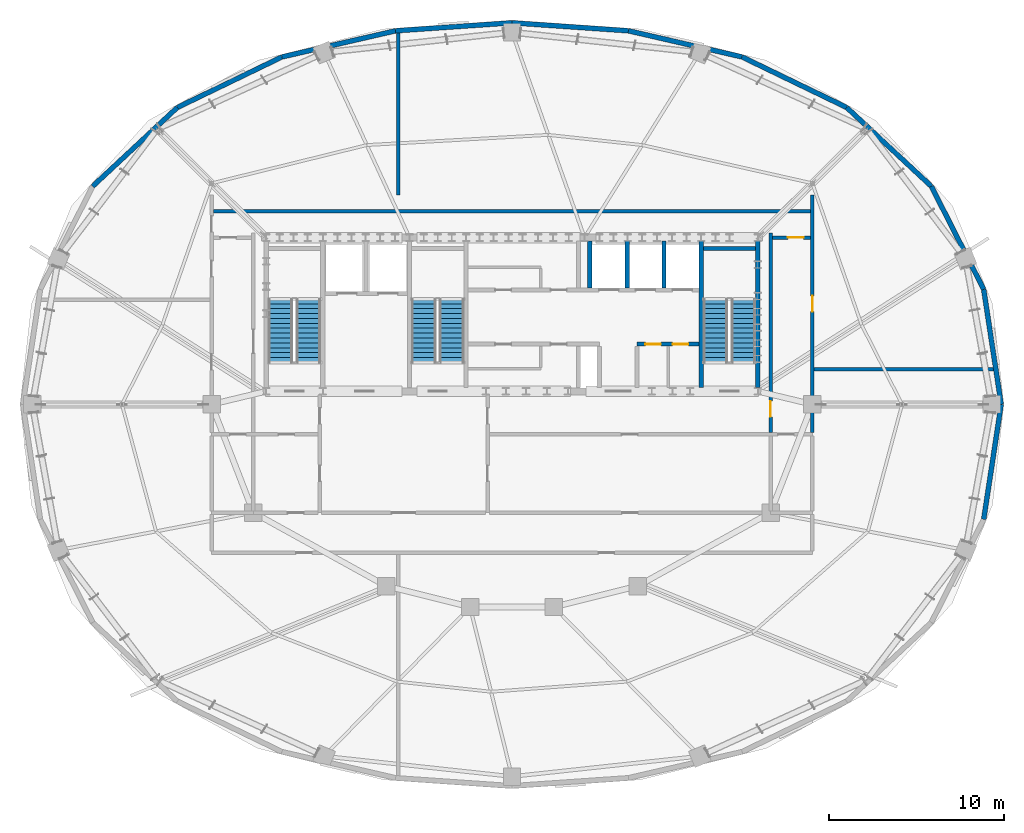
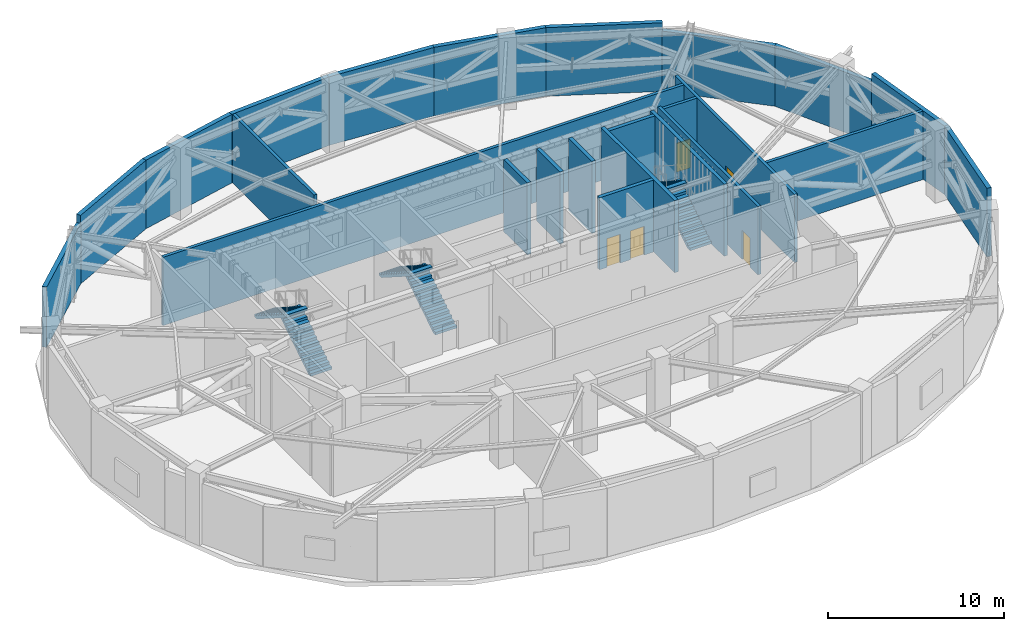
# One storey, part 16 of 20: 24 walls, 6 stair flights, 5 doors, 5 openings, 3 elements without a shape of their own.
"""IFC4 building model written with IfcOpenShell, lengths in metres."""

from ifc_helpers import new_model, si_unit, direction, frame, frame_2d, origin, place, context, subcontext, project, spatial, polyline, rectangle, outline, extrude, material, layer, layer_set, type_object, element, fill, aggregate, save


model = new_model("IFC4")

# Units and contexts
model_context = context("Model", 3, precision=1e-05, world=origin(), true_north=direction((0.0, 1.0)))
body_context = subcontext(model_context, "Body", "Model", "MODEL_VIEW")
ifc_project = project(units=[si_unit("LENGTHUNIT", "METRE"), si_unit("AREAUNIT", "SQUARE_METRE"), si_unit("VOLUMEUNIT", "CUBIC_METRE"), si_unit("PLANEANGLEUNIT", "RADIAN"), si_unit("MASSUNIT", "GRAM", prefix="KILO")], contexts=[model_context])

# Site, building, storey
site_placement = place(None, origin())
site = spatial("IfcSite", under=ifc_project, at=site_placement, CompositionType="ELEMENT")
building_placement = place(site_placement, origin())
building = spatial("IfcBuilding", under=site, at=building_placement, Name="Haldorwick Loom Tower", CompositionType="ELEMENT")
storey_placement = place(building_placement, frame((0.0, 0.0, 222.10009765625)))
storey = spatial("IfcBuildingStorey", under=building, at=storey_placement, Name="L60", CompositionType="ELEMENT", Elevation=222.10009765625)

# Walls
ifc_material_1 = material(Name="Pressed Clay Face Brick and Insulated Masonry Backup Assembly", Category="masonry")
ifc_layer_1 = layer(ifc_material_1, 0.280029296875, Name="Pressed Clay Face Brick and Insulated Masonry Backup Assembly", Category="masonry")
ifc_layer_set_1 = layer_set([ifc_layer_1], Name="Pressed Clay Face Brick and Insulated Masonry Backup Assembly")
wall_type_1 = type_object("IfcWallType", Name="ARC-WL-EXT280", PredefinedType="STANDARD", material=ifc_layer_set_1)
wall_1_placement = place(storey_placement, frame((64.00634765625, 26.0, 0.0), z_axis=(0.0, 0.0, 1.0), x_axis=(-0.150467697578, 0.988614926038, 0.0)))
element("IfcWall", 1, at=wall_1_placement, inside=storey, type_object=wall_type_1, Name="L60 Brick Pier and Spandrel Wall 1", PredefinedType="STANDARD", context=body_context, shape_type="SweptSolid", body=[
    extrude(rectangle(XDim=6.66064453125, YDim=0.280029296875, at=frame_2d((3.330322265625, 0.0))), origin(), (0.0, 0.0, 1.0), 4.760009765625),
])
wall_2_placement = place(storey_placement, frame((63.004150390625, 32.584716796875, 0.0), z_axis=(0.0, 0.0, 1.0), x_axis=(-0.453032066879, 0.89149422117, 0.0)))
element("IfcWall", 2, at=wall_2_placement, inside=storey, type_object=wall_type_1, Name="L60 Brick Pier and Spandrel Wall 2", PredefinedType="STANDARD", context=body_context, shape_type="SweptSolid", body=[
    extrude(rectangle(XDim=6.618896484375, YDim=0.280029296875, at=frame_2d((3.3095703125, 0.0))), origin(), (0.0, 0.0, 1.0), 4.19091796875),
])
wall_3_placement = place(storey_placement, frame((60.005615234375, 38.4853515625, 0.0), z_axis=(0.0, 0.0, 1.0), x_axis=(-0.731833707499, 0.681483253329, 0.0)))
element("IfcWall", 3, at=wall_3_placement, inside=storey, type_object=wall_type_1, Name="L60 Brick Pier and Spandrel Wall 3", PredefinedType="STANDARD", context=body_context, shape_type="SweptSolid", body=[
    extrude(rectangle(XDim=6.61865234375, YDim=0.280029296875, at=frame_2d((3.309326171875, 0.0))), origin(), (0.0, 0.0, 1.0), 4.19091796875),
])
wall_4_placement = place(storey_placement, frame((55.161865234375, 42.995849609375, 0.0), z_axis=(0.0, 0.0, 1.0), x_axis=(-0.900371236029, 0.435122554381, 0.0)))
element("IfcWall", 4, at=wall_4_placement, inside=storey, type_object=wall_type_1, Name="L60 Brick Pier and Spandrel Wall 4", PredefinedType="STANDARD", context=body_context, shape_type="SweptSolid", body=[
    extrude(rectangle(XDim=6.6533203125, YDim=0.280029296875, at=frame_2d((3.32666015625, 0.0))), origin(), (0.0, 0.0, 1.0), 4.760009765625),
])
wall_5_placement = place(storey_placement, frame((49.17138671875, 45.890869140625, 0.0), z_axis=(0.0, 0.0, 1.0), x_axis=(-0.974557343474, 0.224138315065, 0.0)))
element("IfcWall", 5, at=wall_5_placement, inside=storey, type_object=wall_type_1, Name="L60 Brick Pier and Spandrel Wall 5", PredefinedType="STANDARD", context=body_context, shape_type="SweptSolid", body=[
    extrude(rectangle(XDim=6.676025390625, YDim=0.280029296875, at=frame_2d((3.337890625, 0.0))), origin(), (0.0, 0.0, 1.0), 4.760009765625),
])
for number, where, z_axis, x_axis, name in (
    (6, (42.665283203125, 47.38720703125, 0.0), (0.0, 0.0, 1.0), (-0.99764992135, 0.068517402386, 0.0), "L60 Brick Pier and Spandrel Wall 6"),
    (7, (36.0, 47.844970703125, 0.0), (0.0, 0.0, 1.0), (-0.99764992135, -0.068517402386, 0.0), "L60 Brick Pier and Spandrel Wall 7"),
):
    element("IfcWall", number, at=place(storey_placement, frame(where, z_axis=z_axis, x_axis=x_axis)), inside=storey, type_object=wall_type_1, Name=name, PredefinedType="STANDARD", context=body_context, shape_type="SweptSolid", body=[
        extrude(rectangle(XDim=6.680908203125, YDim=0.280029296875, at=frame_2d((3.34033203125, 0.0))), origin(), (0.0, 0.0, 1.0), 4.760009765625),
    ])
wall_6_placement = place(storey_placement, frame((29.334716796875, 47.38720703125, 0.0), z_axis=(0.0, 0.0, 1.0), x_axis=(-0.974557343474, -0.224138315065, 0.0)))
element("IfcWall", 8, at=wall_6_placement, inside=storey, type_object=wall_type_1, Name="L60 Brick Pier and Spandrel Wall 8", PredefinedType="STANDARD", context=body_context, shape_type="SweptSolid", body=[
    extrude(rectangle(XDim=6.676025390625, YDim=0.280029296875, at=frame_2d((3.337890625, 0.0))), origin(), (0.0, 0.0, 1.0), 4.760009765625),
])
wall_7_placement = place(storey_placement, frame((22.82861328125, 45.890869140625, 0.0), z_axis=(0.0, 0.0, 1.0), x_axis=(-0.900371236029, -0.435122554381, 0.0)))
element("IfcWall", 9, at=wall_7_placement, inside=storey, type_object=wall_type_1, Name="L60 Brick Pier and Spandrel Wall 9", PredefinedType="STANDARD", context=body_context, shape_type="SweptSolid", body=[
    extrude(rectangle(XDim=6.6533203125, YDim=0.280029296875, at=frame_2d((3.32666015625, 0.0))), origin(), (0.0, 0.0, 1.0), 4.760009765625),
])
wall_8_placement = place(storey_placement, frame((16.838134765625, 42.995849609375, 0.0), z_axis=(0.0, 0.0, 1.0), x_axis=(-0.731833707499, -0.681483253329, 0.0)))
element("IfcWall", 10, at=wall_8_placement, inside=storey, type_object=wall_type_1, Name="L60 Brick Pier and Spandrel Wall 10", PredefinedType="STANDARD", context=body_context, shape_type="SweptSolid", body=[
    extrude(rectangle(XDim=6.61865234375, YDim=0.280029296875, at=frame_2d((3.309326171875, 0.0))), origin(), (0.0, 0.0, 1.0), 4.19091796875),
])
wall_9_placement = place(storey_placement, frame((63.004150390625, 19.415283203125, 0.0), z_axis=(0.0, 0.0, 1.0), x_axis=(0.150467697578, 0.988614926038, 0.0)))
element("IfcWall", 11, at=wall_9_placement, inside=storey, type_object=wall_type_1, Name="L60 Brick Pier and Spandrel Wall 24", PredefinedType="STANDARD", context=body_context, shape_type="SweptSolid", body=[
    extrude(rectangle(XDim=6.66064453125, YDim=0.280029296875, at=frame_2d((3.330322265625, 0.0))), origin(), (0.0, 0.0, 1.0), 4.760009765625),
])

# Wall, opening, door
ifc_material_2 = material(Name="Fire-Rated Type X Gypsum Stud Assembly EI 120")
ifc_layer_2 = layer(ifc_material_2, 0.199951171875, Name="Fire-Rated Type X Gypsum Stud Assembly EI 120")
ifc_layer_set_2 = layer_set([ifc_layer_2], Name="Fire-Rated Type X Gypsum Stud Assembly EI 120")
wall_type_2 = type_object("IfcWallType", Name="ARC-WL-FIRE200", PredefinedType="PARTITIONING", material=ifc_layer_set_2)
wall_10_placement = place(storey_placement, frame((53.199951171875, 24.403076171875, 0.0), z_axis=(0.0, 0.0, 1.0), x_axis=(0.0, 1.0, 0.0)))
wall_10 = element("IfcWall", 12, at=wall_10_placement, inside=storey, type_object=wall_type_2, Name="L60 Interior Partition L60-PC-E1", PredefinedType="PARTITIONING", context=body_context, shape_type="SweptSolid", body=[
    extrude(rectangle(XDim=13.596923828125, YDim=0.199951171875, at=frame_2d((6.79833984375, 0.0))), origin(), (0.0, 0.0, 1.0), 4.744873046875),
])
opening_1_placement = place(wall_10_placement, frame((6.90576171875, 0.0, 0.0)))
opening_1 = element("IfcOpeningElement", 13, at=opening_1_placement, cuts=wall_10, Name="Opening D-FD60A", PredefinedType="OPENING", context=body_context, shape_type="SweptSolid", body=[
    extrude(rectangle(XDim=0.89990234375, YDim=2.0, at=frame_2d((0.449951171875, 1.0))), frame((0.0, 0.10986328125, 0.0), z_axis=(0.0, -1.0, 0.0), x_axis=(1.0, 0.0, 0.0)), (0.0, 0.0, 1.0), 0.219970703125),
])
ifc_material_3 = material(Name="Hollow Steel Fire Door Assembly", Category="steel")
door_type = type_object("IfcDoorType", Name="ARC-DR-FD60-90", OperationType="NOTDEFINED", PredefinedType="DOOR", material=ifc_material_3)
door_1_placement = place(opening_1_placement, frame((0.89990234375, 0.0, 0.0), z_axis=(0.0, 0.0, 1.0), x_axis=(-1.0, 0.0, 0.0)))
door_1 = element("IfcDoor", 14, at=door_1_placement, inside=storey, type_object=door_type, Name="L60 East Mechanical Corridor to Emergency Power Transformer Plant Door", OperationType="SINGLE_SWING_LEFT", OverallHeight=2.0, OverallWidth=0.89990234375, PredefinedType="DOOR", context=body_context, shape_type="SweptSolid", body=[
    extrude(rectangle(XDim=0.89990234375, YDim=2.0, at=frame_2d((0.449951171875, 1.0))), frame((0.0, 0.02490234375, 0.0), z_axis=(0.0, -1.0, 0.0), x_axis=(1.0, 0.0, 0.0)), (0.0, 0.0, 1.0), 0.050048828125),
])
fill(opening_1, door_1)

wall_11_placement = place(storey_placement, frame((50.800048828125, 24.403076171875, 0.0), z_axis=(0.0, 0.0, 1.0), x_axis=(0.0, 1.0, 0.0)))
wall_11 = element("IfcWall", 15, at=wall_11_placement, inside=storey, type_object=wall_type_2, Name="L60 Interior Partition L60-PC-E2", PredefinedType="PARTITIONING", context=body_context, shape_type="SweptSolid", body=[
    extrude(rectangle(XDim=11.39697265625, YDim=0.199951171875, at=frame_2d((5.698486328125, 0.0))), origin(), (0.0, 0.0, 1.0), 4.744873046875),
])
opening_2_placement = place(wall_11_placement, frame((0.88037109375, 0.0, 0.0)))
opening_2 = element("IfcOpeningElement", 16, at=opening_2_placement, cuts=wall_11, Name="Opening D-FD60A", PredefinedType="OPENING", context=body_context, shape_type="SweptSolid", body=[
    extrude(rectangle(XDim=0.89990234375, YDim=2.0, at=frame_2d((0.449951171875, 1.0))), frame((0.0, 0.10986328125, 0.0), z_axis=(0.0, -1.0, 0.0), x_axis=(1.0, 0.0, 0.0)), (0.0, 0.0, 1.0), 0.219970703125),
])
door_2_placement = place(opening_2_placement, origin())
door_2 = element("IfcDoor", 17, at=door_2_placement, inside=storey, type_object=door_type, Name="L60 East Plant Exit Corridor to East Mechanical Corridor Door", OperationType="SINGLE_SWING_RIGHT", OverallHeight=2.0, OverallWidth=0.89990234375, PredefinedType="DOOR", context=body_context, shape_type="SweptSolid", body=[
    extrude(rectangle(XDim=0.89990234375, YDim=2.0, at=frame_2d((0.449951171875, 1.0))), frame((0.0, 0.02490234375, 0.0), z_axis=(0.0, -1.0, 0.0), x_axis=(1.0, 0.0, 0.0)), (0.0, 0.0, 1.0), 0.050048828125),
])
fill(opening_2, door_2)

wall_12_placement = place(storey_placement, frame((50.903076171875, 35.550048828125, 0.0), z_axis=(0.0, 0.0, 1.0), x_axis=(1.0, 0.0, 0.0)))
wall_12 = element("IfcWall", 18, at=wall_12_placement, inside=storey, type_object=wall_type_2, Name="L60 Interior Partition L60-PC-EN", PredefinedType="PARTITIONING", context=body_context, shape_type="SweptSolid", body=[
    extrude(rectangle(XDim=2.19384765625, YDim=0.199951171875, at=frame_2d((1.096923828125, 0.0))), origin(), (0.0, 0.0, 1.0), 4.744873046875),
])
opening_3_placement = place(wall_12_placement, frame((0.892578125, 0.0, 0.0)))
opening_3 = element("IfcOpeningElement", 19, at=opening_3_placement, cuts=wall_12, Name="Opening D-FD60A", PredefinedType="OPENING", context=body_context, shape_type="SweptSolid", body=[
    extrude(rectangle(XDim=0.89990234375, YDim=2.0, at=frame_2d((0.449951171875, 1.0))), frame((0.0, 0.10986328125, 0.0), z_axis=(0.0, -1.0, 0.0), x_axis=(1.0, 0.0, 0.0)), (0.0, 0.0, 1.0), 0.219970703125),
])
door_3_placement = place(opening_3_placement, origin())
door_3 = element("IfcDoor", 20, at=door_3_placement, inside=storey, type_object=door_type, Name="L60 North Mechanical Corridor to East Mechanical Corridor Door", OperationType="SINGLE_SWING_LEFT", OverallHeight=2.0, OverallWidth=0.89990234375, PredefinedType="DOOR", context=body_context, shape_type="SweptSolid", body=[
    extrude(rectangle(XDim=0.89990234375, YDim=2.0, at=frame_2d((0.449951171875, 1.0))), frame((0.0, 0.02490234375, 0.0), z_axis=(0.0, -1.0, 0.0), x_axis=(1.0, 0.0, 0.0)), (0.0, 0.0, 1.0), 0.050048828125),
])
fill(opening_3, door_3)

# Walls
wall_13_placement = place(storey_placement, frame((18.903076171875, 37.050048828125, 0.0), z_axis=(0.0, 0.0, 1.0), x_axis=(1.0, 0.0, 0.0)))
element("IfcWall", 21, at=wall_13_placement, inside=storey, type_object=wall_type_2, Name="L60 Interior Partition L60-PC-N1", PredefinedType="PARTITIONING", context=body_context, shape_type="SweptSolid", body=[
    extrude(rectangle(XDim=34.19384765625, YDim=0.199951171875, at=frame_2d((17.096923828125, 0.0))), origin(), (0.0, 0.0, 1.0), 4.744873046875),
])
wall_14_placement = place(storey_placement, frame((29.5, 38.0, 0.0), z_axis=(0.0, 0.0, 1.0), x_axis=(0.0, 1.0, 0.0)))
element("IfcWall", 22, at=wall_14_placement, inside=storey, type_object=wall_type_2, Name="L60 Interior Partition L60-PL-N", PredefinedType="PARTITIONING", context=body_context, shape_type="SweptSolid", body=[
    extrude(rectangle(XDim=9.353515625, YDim=0.199951171875, at=frame_2d((4.6767578125, 0.0))), origin(), (0.0, 0.0, 1.0), 4.744873046875),
])
wall_15_placement = place(storey_placement, frame((53.302978515625, 28.0, 0.0), z_axis=(0.0, 0.0, 1.0), x_axis=(1.0, 0.0, 0.0)))
element("IfcWall", 23, at=wall_15_placement, inside=storey, type_object=wall_type_2, Name="L60 Interior Partition L60-PL-E", PredefinedType="PARTITIONING", context=body_context, shape_type="SweptSolid", body=[
    extrude(rectangle(XDim=10.353515625, YDim=0.199951171875, at=frame_2d((5.1767578125, 0.0))), origin(), (0.0, 0.0, 1.0), 4.744873046875),
])
ifc_material_4 = material(Name="Concrete C50 (50 MPa)", Category="concrete")
ifc_layer_3 = layer(ifc_material_4, 0.239990234375, Name="Concrete C50 (50 MPa)", Category="concrete")
ifc_layer_set_3 = layer_set([ifc_layer_3], Name="Concrete C50 (50 MPa)")
wall_type_3 = type_object("IfcWallType", Name="STR-WL-SHAFT240", PredefinedType="SHEAR", material=ifc_layer_set_3)
for number, where, z_axis, x_axis, name in (
    (24, (50.070068359375, 26.952880859375, 0.0), (0.0, 0.0, 1.0), (0.0, 1.0, 0.0), "L60 Core Shear Wall E"),
    (25, (46.830078125, 26.952880859375, 0.0), (0.0, 0.0, 1.0), (0.0, 1.0, 0.0), "L60 Core Shear Wall 4"),
):
    element("IfcWall", number, at=place(storey_placement, frame(where, z_axis=z_axis, x_axis=x_axis)), inside=storey, type_object=wall_type_3, Name=name, PredefinedType="SHEAR", context=body_context, shape_type="SweptSolid", body=[
        extrude(rectangle(XDim=8.39404296875, YDim=0.239990234375, at=frame_2d((4.197021484375, 0.0))), origin(), (0.0, 0.0, 1.0), 5.0),
    ])
wall_16_placement = place(storey_placement, frame((46.952880859375, 34.919921875, 0.0), z_axis=(0.0, 0.0, 1.0), x_axis=(1.0, 0.0, 0.0)))
element("IfcWall", 26, at=wall_16_placement, inside=storey, type_object=wall_type_3, Name="L60 Core Shear Wall 4N", PredefinedType="SHEAR", context=body_context, shape_type="SweptSolid", body=[
    extrude(rectangle(XDim=2.994140625, YDim=0.239990234375, at=frame_2d((1.4970703125, 0.0))), origin(), (0.0, 0.0, 1.0), 5.0),
])

# Wall, openings, doors
wall_17_placement = place(storey_placement, frame((43.14990234375, 29.449951171875, 0.0), z_axis=(0.0, 0.0, 1.0), x_axis=(1.0, 0.0, 0.0)))
wall_17 = element("IfcWall", 27, at=wall_17_placement, inside=storey, type_object=wall_type_3, Name="L60 Core Shear Wall LS2", PredefinedType="SHEAR", context=body_context, shape_type="SweptSolid", body=[
    extrude(rectangle(XDim=3.55712890625, YDim=0.239990234375, at=frame_2d((1.778564453125, 0.0))), origin(), (0.0, 0.0, 1.0), 5.0),
])
opening_4_placement = place(wall_17_placement, frame((0.47998046875, 0.0, 0.0)))
opening_4 = element("IfcOpeningElement", 28, at=opening_4_placement, cuts=wall_17, Name="Opening D-FD60A", PredefinedType="OPENING", context=body_context, shape_type="SweptSolid", body=[
    extrude(rectangle(XDim=0.89990234375, YDim=2.0, at=frame_2d((0.449951171875, 1.0))), frame((0.0, 0.1298828125, 0.0), z_axis=(0.0, -1.0, 0.0), x_axis=(1.0, 0.0, 0.0)), (0.0, 0.0, 1.0), 0.260009765625),
])
opening_5_placement = place(wall_17_placement, frame((2.050048828125, 0.0, 0.0)))
opening_5 = element("IfcOpeningElement", 29, at=opening_5_placement, cuts=wall_17, Name="Opening D-FD60A", PredefinedType="OPENING", context=body_context, shape_type="SweptSolid", body=[
    extrude(rectangle(XDim=0.89990234375, YDim=2.0, at=frame_2d((0.449951171875, 1.0))), frame((0.0, 0.1298828125, 0.0), z_axis=(0.0, -1.0, 0.0), x_axis=(1.0, 0.0, 0.0)), (0.0, 0.0, 1.0), 0.260009765625),
])
door_4_placement = place(opening_4_placement, origin())
door_4 = element("IfcDoor", 30, at=door_4_placement, inside=storey, type_object=door_type, Name="L60 Electrical Room Door", OperationType="SINGLE_SWING_LEFT", OverallHeight=2.0, OverallWidth=0.89990234375, PredefinedType="DOOR", context=body_context, shape_type="SweptSolid", body=[
    extrude(rectangle(XDim=0.89990234375, YDim=2.0, at=frame_2d((0.449951171875, 1.0))), frame((0.0, 0.02490234375, 0.0), z_axis=(0.0, -1.0, 0.0), x_axis=(1.0, 0.0, 0.0)), (0.0, 0.0, 1.0), 0.050048828125),
])
fill(opening_4, door_4)
door_5_placement = place(opening_5_placement, origin())
door_5 = element("IfcDoor", 31, at=door_5_placement, inside=storey, type_object=door_type, Name="L60 Cleaner's Store Door", OperationType="SINGLE_SWING_LEFT", OverallHeight=2.0, OverallWidth=0.89990234375, PredefinedType="DOOR", context=body_context, shape_type="SweptSolid", body=[
    extrude(rectangle(XDim=0.89990234375, YDim=2.0, at=frame_2d((0.449951171875, 1.0))), frame((0.0, 0.02490234375, 0.0), z_axis=(0.0, -1.0, 0.0), x_axis=(1.0, 0.0, 0.0)), (0.0, 0.0, 1.0), 0.050048828125),
])
fill(opening_5, door_5)

# Walls
for number, where, z_axis, x_axis, name in (
    (32, (40.449951171875, 32.673095703125, 0.0), (0.0, 0.0, 1.0), (0.0, 1.0, 0.0), "L60 Core Shear Wall H0"),
    (33, (42.60009765625, 32.673095703125, 0.0), (0.0, 0.0, 1.0), (0.0, 1.0, 0.0), "L60 Core Shear Wall H1"),
    (34, (44.699951171875, 32.673095703125, 0.0), (0.0, 0.0, 1.0), (0.0, 1.0, 0.0), "L60 Core Shear Wall H2"),
):
    element("IfcWall", number, at=place(storey_placement, frame(where, z_axis=z_axis, x_axis=x_axis)), inside=storey, type_object=wall_type_3, Name=name, PredefinedType="SHEAR", context=body_context, shape_type="SweptSolid", body=[
        extrude(rectangle(XDim=2.673828125, YDim=0.239990234375, at=frame_2d((1.3369140625, 0.0))), origin(), (0.0, 0.0, 1.0), 5.0),
    ])

# Stair, stair flights
ifc_material_5 = material(Name="Concrete C40 (40 MPa)", Category="concrete")
stair_type = type_object("IfcStairType", Name="STR-STR-CORE", PredefinedType="HALF_TURN_STAIR", material=ifc_material_5)
stair_1_placement = place(storey_placement, origin())
stair_1 = element("IfcStair", 35, at=stair_1_placement, inside=storey, type_object=stair_type, Name="L60 Exit Stair ST-01", PredefinedType="HALF_TURN_STAIR")
stair_flight_type = type_object("IfcStairFlightType", Name="STR-STF-1250", PredefinedType="STRAIGHT", material=ifc_material_5)
stair_flight_1_placement = place(storey_placement, frame((24.35009765625, 28.39990234375, 0.0), z_axis=(0.0, 0.0, 1.0), x_axis=(0.0, 1.0, 0.0)))
stair_flight_1 = element("IfcStairFlight", 36, at=stair_flight_1_placement, type_object=stair_flight_type, Name="ST-01 flight 1", NumberOfRisers=14, NumberOfTreads=13, PredefinedType="STRAIGHT", RiserHeight=0.178571429, TreadLength=0.28, context=body_context, shape_type="SweptSolid", body=[
    extrude(outline(polyline([(0.0, 0.0), (0.0, 0.178466796875), (0.280029296875, 0.178466796875), (0.280029296875, 0.357177734375), (0.56005859375, 0.357177734375), (0.56005859375, 0.53564453125), (0.840087890625, 0.53564453125), (0.840087890625, 0.71435546875), (1.1201171875, 0.71435546875), (1.1201171875, 0.892822265625), (1.39990234375, 0.892822265625), (1.39990234375, 1.071533203125), (1.679931640625, 1.071533203125), (1.679931640625, 1.25), (1.9599609375, 1.25), (1.9599609375, 1.428466796875), (2.239990234375, 1.428466796875), (2.239990234375, 1.607177734375), (2.52001953125, 1.607177734375), (2.52001953125, 1.78564453125), (2.800048828125, 1.78564453125), (2.800048828125, 1.96435546875), (3.080078125, 1.96435546875), (3.080078125, 2.142822265625), (3.360107421875, 2.142822265625), (3.360107421875, 2.321533203125), (3.639892578125, 2.321533203125), (3.639892578125, 2.5), (3.639892578125, 2.1435546875), (0.27880859375, 0.0), (0.0, 0.0)])), frame((0.0, 0.699951171875, 0.0), z_axis=(0.0, -1.0, 0.0), x_axis=(1.0, 0.0, 0.0)), (0.0, 0.0, 1.0), 1.39990234375),
])
stair_flight_2_placement = place(storey_placement, frame((22.75, 32.0400390625, 2.5), z_axis=(0.0, 0.0, 1.0), x_axis=(0.0, -1.0, 0.0)))
stair_flight_2 = element("IfcStairFlight", 37, at=stair_flight_2_placement, type_object=stair_flight_type, Name="ST-01 flight 2", NumberOfRisers=14, NumberOfTreads=13, PredefinedType="STRAIGHT", RiserHeight=0.178571429, TreadLength=0.28, context=body_context, shape_type="SweptSolid", body=[
    extrude(outline(polyline([(0.0, 0.0), (0.0, 0.178466796875), (0.280029296875, 0.178466796875), (0.280029296875, 0.357177734375), (0.56005859375, 0.357177734375), (0.56005859375, 0.53564453125), (0.840087890625, 0.53564453125), (0.840087890625, 0.71435546875), (1.1201171875, 0.71435546875), (1.1201171875, 0.892822265625), (1.39990234375, 0.892822265625), (1.39990234375, 1.071533203125), (1.679931640625, 1.071533203125), (1.679931640625, 1.25), (1.9599609375, 1.25), (1.9599609375, 1.428466796875), (2.239990234375, 1.428466796875), (2.239990234375, 1.607177734375), (2.52001953125, 1.607177734375), (2.52001953125, 1.78564453125), (2.800048828125, 1.78564453125), (2.800048828125, 1.96435546875), (3.080078125, 1.96435546875), (3.080078125, 2.142822265625), (3.360107421875, 2.142822265625), (3.360107421875, 2.321533203125), (3.639892578125, 2.321533203125), (3.639892578125, 2.5), (3.639892578125, 2.1435546875), (0.27880859375, 0.0), (0.0, 0.0)])), frame((0.0, 0.699951171875, 0.0), z_axis=(0.0, -1.0, 0.0), x_axis=(1.0, 0.0, 0.0)), (0.0, 0.0, 1.0), 1.39990234375),
])
aggregate(stair_1, [stair_flight_1, stair_flight_2])

stair_2_placement = place(storey_placement, origin())
stair_2 = element("IfcStair", 38, at=stair_2_placement, inside=storey, type_object=stair_type, Name="L60 Exit Stair ST-02", PredefinedType="HALF_TURN_STAIR")
stair_flight_3_placement = place(storey_placement, frame((49.25, 28.39990234375, 0.0), z_axis=(0.0, 0.0, 1.0), x_axis=(0.0, 1.0, 0.0)))
stair_flight_3 = element("IfcStairFlight", 39, at=stair_flight_3_placement, type_object=stair_flight_type, Name="ST-02 flight 1", NumberOfRisers=14, NumberOfTreads=13, PredefinedType="STRAIGHT", RiserHeight=0.178571429, TreadLength=0.28, context=body_context, shape_type="SweptSolid", body=[
    extrude(outline(polyline([(0.0, 0.0), (0.0, 0.178466796875), (0.280029296875, 0.178466796875), (0.280029296875, 0.357177734375), (0.56005859375, 0.357177734375), (0.56005859375, 0.53564453125), (0.840087890625, 0.53564453125), (0.840087890625, 0.71435546875), (1.1201171875, 0.71435546875), (1.1201171875, 0.892822265625), (1.39990234375, 0.892822265625), (1.39990234375, 1.071533203125), (1.679931640625, 1.071533203125), (1.679931640625, 1.25), (1.9599609375, 1.25), (1.9599609375, 1.428466796875), (2.239990234375, 1.428466796875), (2.239990234375, 1.607177734375), (2.52001953125, 1.607177734375), (2.52001953125, 1.78564453125), (2.800048828125, 1.78564453125), (2.800048828125, 1.96435546875), (3.080078125, 1.96435546875), (3.080078125, 2.142822265625), (3.360107421875, 2.142822265625), (3.360107421875, 2.321533203125), (3.639892578125, 2.321533203125), (3.639892578125, 2.5), (3.639892578125, 2.1435546875), (0.27880859375, 0.0), (0.0, 0.0)])), frame((0.0, 0.699951171875, 0.0), z_axis=(0.0, -1.0, 0.0), x_axis=(1.0, 0.0, 0.0)), (0.0, 0.0, 1.0), 1.39990234375),
])
stair_flight_4_placement = place(storey_placement, frame((47.64990234375, 32.0400390625, 2.5), z_axis=(0.0, 0.0, 1.0), x_axis=(0.0, -1.0, 0.0)))
stair_flight_4 = element("IfcStairFlight", 40, at=stair_flight_4_placement, type_object=stair_flight_type, Name="ST-02 flight 2", NumberOfRisers=14, NumberOfTreads=13, PredefinedType="STRAIGHT", RiserHeight=0.178571429, TreadLength=0.28, context=body_context, shape_type="SweptSolid", body=[
    extrude(outline(polyline([(0.0, 0.0), (0.0, 0.178466796875), (0.280029296875, 0.178466796875), (0.280029296875, 0.357177734375), (0.56005859375, 0.357177734375), (0.56005859375, 0.53564453125), (0.840087890625, 0.53564453125), (0.840087890625, 0.71435546875), (1.1201171875, 0.71435546875), (1.1201171875, 0.892822265625), (1.39990234375, 0.892822265625), (1.39990234375, 1.071533203125), (1.679931640625, 1.071533203125), (1.679931640625, 1.25), (1.9599609375, 1.25), (1.9599609375, 1.428466796875), (2.239990234375, 1.428466796875), (2.239990234375, 1.607177734375), (2.52001953125, 1.607177734375), (2.52001953125, 1.78564453125), (2.800048828125, 1.78564453125), (2.800048828125, 1.96435546875), (3.080078125, 1.96435546875), (3.080078125, 2.142822265625), (3.360107421875, 2.142822265625), (3.360107421875, 2.321533203125), (3.639892578125, 2.321533203125), (3.639892578125, 2.5), (3.639892578125, 2.1435546875), (0.27880859375, 0.0), (0.0, 0.0)])), frame((0.0, 0.699951171875, 0.0), z_axis=(0.0, -1.0, 0.0), x_axis=(1.0, 0.0, 0.0)), (0.0, 0.0, 1.0), 1.39990234375),
])
aggregate(stair_2, [stair_flight_3, stair_flight_4])

stair_3_placement = place(storey_placement, origin())
stair_3 = element("IfcStair", 41, at=stair_3_placement, inside=storey, type_object=stair_type, Name="L60 Exit Stair ST-03", PredefinedType="HALF_TURN_STAIR")
stair_flight_5_placement = place(storey_placement, frame((32.550048828125, 28.39990234375, 0.0), z_axis=(0.0, 0.0, 1.0), x_axis=(0.0, 1.0, 0.0)))
stair_flight_5 = element("IfcStairFlight", 42, at=stair_flight_5_placement, type_object=stair_flight_type, Name="ST-03 flight 1", NumberOfRisers=14, NumberOfTreads=13, PredefinedType="STRAIGHT", RiserHeight=0.178571429, TreadLength=0.28, context=body_context, shape_type="SweptSolid", body=[
    extrude(outline(polyline([(0.0, 0.0), (0.0, 0.178466796875), (0.280029296875, 0.178466796875), (0.280029296875, 0.357177734375), (0.56005859375, 0.357177734375), (0.56005859375, 0.53564453125), (0.840087890625, 0.53564453125), (0.840087890625, 0.71435546875), (1.1201171875, 0.71435546875), (1.1201171875, 0.892822265625), (1.39990234375, 0.892822265625), (1.39990234375, 1.071533203125), (1.679931640625, 1.071533203125), (1.679931640625, 1.25), (1.9599609375, 1.25), (1.9599609375, 1.428466796875), (2.239990234375, 1.428466796875), (2.239990234375, 1.607177734375), (2.52001953125, 1.607177734375), (2.52001953125, 1.78564453125), (2.800048828125, 1.78564453125), (2.800048828125, 1.96435546875), (3.080078125, 1.96435546875), (3.080078125, 2.142822265625), (3.360107421875, 2.142822265625), (3.360107421875, 2.321533203125), (3.639892578125, 2.321533203125), (3.639892578125, 2.5), (3.639892578125, 2.1435546875), (0.27880859375, 0.0), (0.0, 0.0)])), frame((0.0, 0.699951171875, 0.0), z_axis=(0.0, -1.0, 0.0), x_axis=(1.0, 0.0, 0.0)), (0.0, 0.0, 1.0), 1.39990234375),
])
stair_flight_6_placement = place(storey_placement, frame((30.949951171875, 32.0400390625, 2.5), z_axis=(0.0, 0.0, 1.0), x_axis=(0.0, -1.0, 0.0)))
stair_flight_6 = element("IfcStairFlight", 43, at=stair_flight_6_placement, type_object=stair_flight_type, Name="ST-03 flight 2", NumberOfRisers=14, NumberOfTreads=13, PredefinedType="STRAIGHT", RiserHeight=0.178571429, TreadLength=0.28, context=body_context, shape_type="SweptSolid", body=[
    extrude(outline(polyline([(0.0, 0.0), (0.0, 0.178466796875), (0.280029296875, 0.178466796875), (0.280029296875, 0.357177734375), (0.56005859375, 0.357177734375), (0.56005859375, 0.53564453125), (0.840087890625, 0.53564453125), (0.840087890625, 0.71435546875), (1.1201171875, 0.71435546875), (1.1201171875, 0.892822265625), (1.39990234375, 0.892822265625), (1.39990234375, 1.071533203125), (1.679931640625, 1.071533203125), (1.679931640625, 1.25), (1.9599609375, 1.25), (1.9599609375, 1.428466796875), (2.239990234375, 1.428466796875), (2.239990234375, 1.607177734375), (2.52001953125, 1.607177734375), (2.52001953125, 1.78564453125), (2.800048828125, 1.78564453125), (2.800048828125, 1.96435546875), (3.080078125, 1.96435546875), (3.080078125, 2.142822265625), (3.360107421875, 2.142822265625), (3.360107421875, 2.321533203125), (3.639892578125, 2.321533203125), (3.639892578125, 2.5), (3.639892578125, 2.1435546875), (0.27880859375, 0.0), (0.0, 0.0)])), frame((0.0, 0.699951171875, 0.0), z_axis=(0.0, -1.0, 0.0), x_axis=(1.0, 0.0, 0.0)), (0.0, 0.0, 1.0), 1.39990234375),
])
aggregate(stair_3, [stair_flight_5, stair_flight_6])

save(model, "model.ifc")
